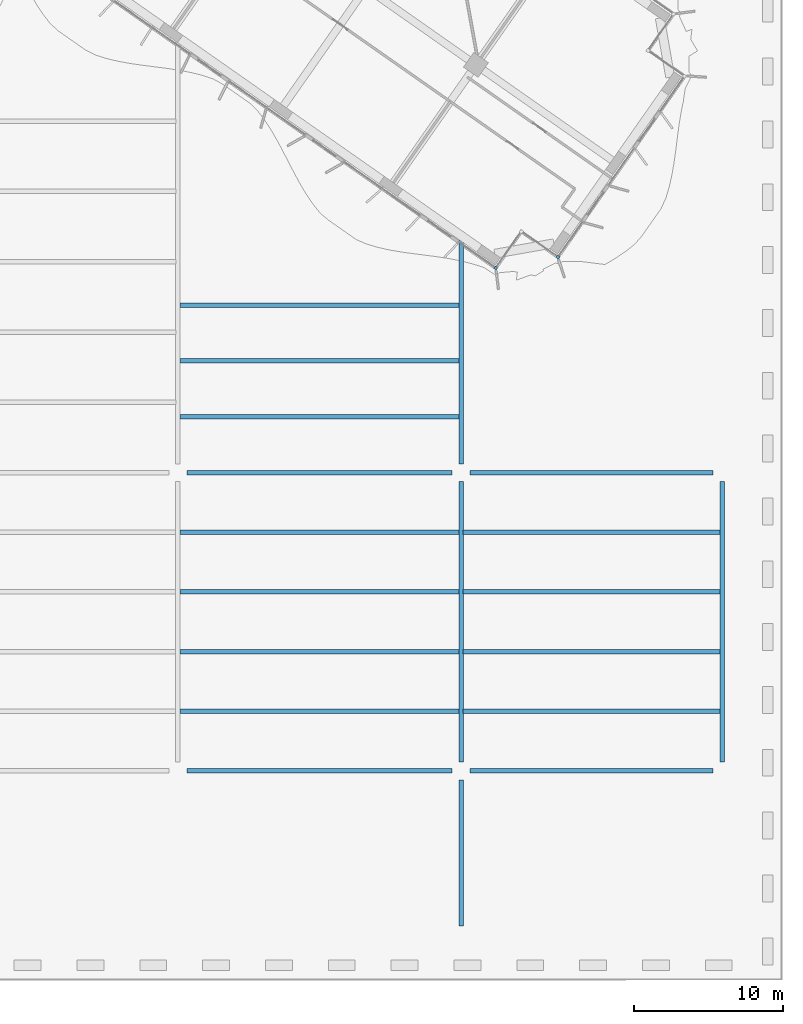
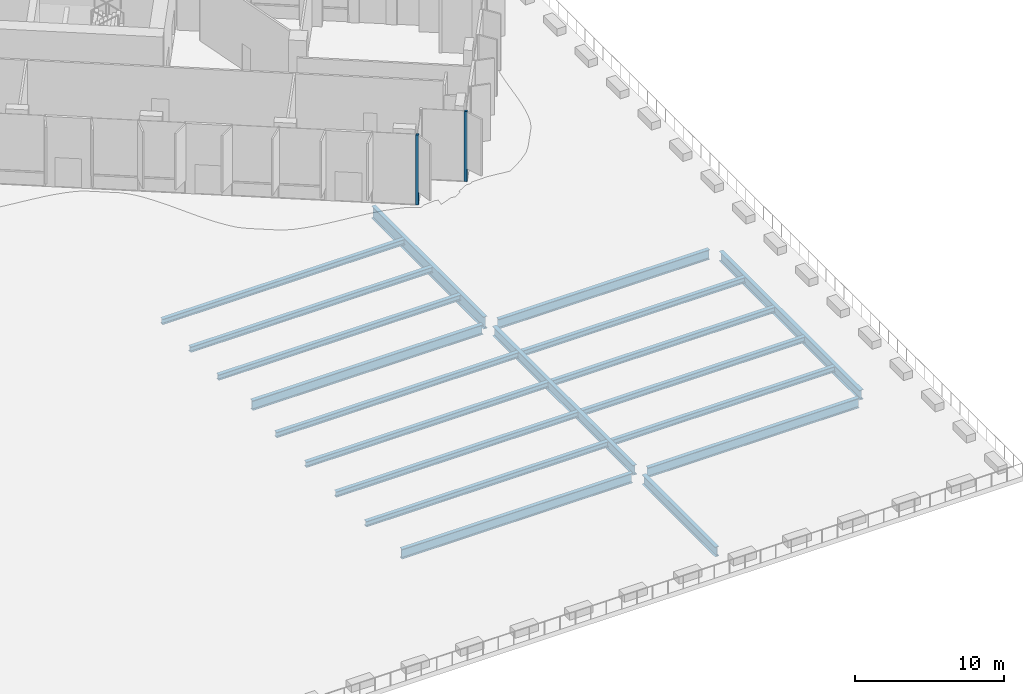
# One storey, part 6 of 27: 19 beams, 2 members, 1 element without a shape of its own.
"""IFC4 building model written with IfcOpenShell, lengths in metres."""

from ifc_helpers import new_model, si_unit, direction, frame, origin, origin_2d, place, context, subcontext, project, spatial, rectangle, i_section, extrude, material, material_profile, profile_set, type_object, element, aggregate, save


model = new_model("IFC4")

# Units and contexts
model_context = context("Model", 3, precision=1e-05, world=origin(), true_north=direction((0.0, 1.0)))
body_context = subcontext(model_context, "Body", "Model", "MODEL_VIEW")
ifc_project = project(units=[si_unit("LENGTHUNIT", "METRE"), si_unit("AREAUNIT", "SQUARE_METRE"), si_unit("VOLUMEUNIT", "CUBIC_METRE"), si_unit("PLANEANGLEUNIT", "RADIAN"), si_unit("MASSUNIT", "GRAM", prefix="KILO")], contexts=[model_context])

# Site, building, storey
site_placement = place(None, origin())
site = spatial("IfcSite", under=ifc_project, at=site_placement, CompositionType="ELEMENT")
building_placement = place(site_placement, origin())
building = spatial("IfcBuilding", under=site, at=building_placement, Name="Tel Ilan Convention Tower", CompositionType="ELEMENT")
storey_placement = place(building_placement, frame((0.0, 0.0, 48.5)))
storey = spatial("IfcBuildingStorey", under=building, at=storey_placement, Name="L07", CompositionType="ELEMENT", Elevation=48.5)

# Curtain wall, members
ifc_material_1 = material(Name="Aluminium, bronze anodised", Category="aluminium")
curtain_wall_type = type_object("IfcCurtainWallType", Name="CW1 UNITISED CURTAIN WALL, HOTEL TINTED GLASS", PredefinedType="NOTDEFINED", material=ifc_material_1)
curtain_wall_placement = place(storey_placement, origin())
curtain_wall = element("IfcCurtainWall", 1, at=curtain_wall_placement, inside=storey, type_object=curtain_wall_type, Name="Curtain wall CW1-10.16", PredefinedType="NOTDEFINED")
ifc_material_2 = material(Name="Aluminium, bronze anodised", Category="aluminium")
ifc_material_profile_1 = material_profile(ifc_material_2, rectangle(XDim=0.199951171875, YDim=0.199951171875, at=origin_2d()), Name="CW CORNER MULLION 200x200")
ifc_profile_set_1 = profile_set([ifc_material_profile_1], Name="Aluminium, bronze anodised")
member_type = type_object("IfcMemberType", Name="CW CORNER MULLION 200x200", PredefinedType="MULLION", material=ifc_profile_set_1)
member_1_placement = place(storey_placement, frame((30.814697265625, -34.272705078125, 0.0), z_axis=(0.0, 0.0, 1.0), x_axis=(0.819152044289, -0.573576436351, 0.0)))
member_1 = element("IfcMember", 2, at=member_1_placement, type_object=member_type, Name="Corner mullion", PredefinedType="MULLION", context=body_context, shape_type="SweptSolid", body=[
    extrude(rectangle(XDim=0.199951171875, YDim=0.199951171875, at=origin_2d()), origin(), (0.0, 0.0, 1.0), 5.719970703125),
])
member_2_placement = place(storey_placement, frame((34.992919921875, -33.5361328125, 0.0), z_axis=(0.0, 0.0, 1.0), x_axis=(0.819152044289, -0.573576436351, 0.0)))
member_2 = element("IfcMember", 3, at=member_2_placement, type_object=member_type, Name="Corner mullion", PredefinedType="MULLION", context=body_context, shape_type="SweptSolid", body=[
    extrude(rectangle(XDim=0.199951171875, YDim=0.199951171875, at=origin_2d()), origin(), (0.0, 0.0, 1.0), 5.719970703125),
])
aggregate(curtain_wall, [member_1, member_2])

# Beams
ifc_material_3 = material(Name="Steel S355", Category="steel")
ifc_material_profile_2 = material_profile(ifc_material_3, i_section(OverallWidth=0.300048828125, OverallDepth=1.0, WebThickness=0.01904296875, FlangeThickness=0.035888671875, FilletRadius=0.030029296875, at=origin_2d()), Name="HEB 1000")
ifc_profile_set_2 = profile_set([ifc_material_profile_2], Name="Steel S355")
beam_type_1 = type_object("IfcBeamType", Name="Girder HEB 1000 Steel S355", PredefinedType="BEAM", material=ifc_profile_set_2)
beam_1_placement = place(storey_placement, frame((28.5, -47.39990234375, -0.89990234375), z_axis=(0.0, 1.0, 0.0), x_axis=(-1.0, 0.0, 0.0)))
element("IfcBeam", 4, at=beam_1_placement, inside=storey, type_object=beam_type_1, Name="L07 beam GN3", PredefinedType="BEAM", context=body_context, shape_type="SweptSolid", body=[
    extrude(i_section(OverallWidth=0.300048828125, OverallDepth=1.0, WebThickness=0.01904296875, FlangeThickness=0.035888671875, FilletRadius=0.030029296875, at=origin_2d()), origin(), (0.0, 0.0, 1.0), 14.9921875),
])
ifc_material_4 = material(Name="Steel S355", Category="steel")
ifc_material_profile_3 = material_profile(ifc_material_4, i_section(OverallWidth=0.300048828125, OverallDepth=0.800048828125, WebThickness=0.017578125, FlangeThickness=0.032958984375, FilletRadius=0.030029296875, at=origin_2d()), Name="HEB 800")
ifc_profile_set_3 = profile_set([ifc_material_profile_3], Name="Steel S355")
beam_type_2 = type_object("IfcBeamType", Name="Girder HEB 800 Steel S355", PredefinedType="BEAM", material=ifc_profile_set_3)
beam_2_placement = place(storey_placement, frame((10.10009765625, -68.0, -0.800048828125), z_axis=(1.0, 0.0, 0.0), x_axis=(0.0, 1.0, 0.0)))
element("IfcBeam", 5, at=beam_2_placement, inside=storey, type_object=beam_type_2, Name="L07 beam GX24-5", PredefinedType="BEAM", context=body_context, shape_type="SweptSolid", body=[
    extrude(i_section(OverallWidth=0.300048828125, OverallDepth=0.800048828125, WebThickness=0.017578125, FlangeThickness=0.032958984375, FilletRadius=0.030029296875, at=origin_2d()), origin(), (0.0, 0.0, 1.0), 17.7998046875),
])
beam_3_placement = place(storey_placement, frame((29.10009765625, -68.0, -0.800048828125), z_axis=(1.0, 0.0, 0.0), x_axis=(0.0, 1.0, 0.0)))
element("IfcBeam", 6, at=beam_3_placement, inside=storey, type_object=beam_type_2, Name="L07 beam GX25-6", PredefinedType="BEAM", context=body_context, shape_type="SweptSolid", body=[
    extrude(i_section(OverallWidth=0.300048828125, OverallDepth=0.800048828125, WebThickness=0.017578125, FlangeThickness=0.032958984375, FilletRadius=0.030029296875, at=origin_2d()), origin(), (0.0, 0.0, 1.0), 16.2998046875),
])
beam_4_placement = place(storey_placement, frame((10.10009765625, -48.0, -0.800048828125), z_axis=(1.0, 0.0, 0.0), x_axis=(0.0, 1.0, 0.0)))
element("IfcBeam", 7, at=beam_4_placement, inside=storey, type_object=beam_type_2, Name="L07 beam GX34-5", PredefinedType="BEAM", context=body_context, shape_type="SweptSolid", body=[
    extrude(i_section(OverallWidth=0.300048828125, OverallDepth=0.800048828125, WebThickness=0.017578125, FlangeThickness=0.032958984375, FilletRadius=0.030029296875, at=origin_2d()), origin(), (0.0, 0.0, 1.0), 17.7998046875),
])
beam_5_placement = place(storey_placement, frame((29.10009765625, -48.0, -0.800048828125), z_axis=(1.0, 0.0, 0.0), x_axis=(0.0, 1.0, 0.0)))
element("IfcBeam", 8, at=beam_5_placement, inside=storey, type_object=beam_type_2, Name="L07 beam GX35-6", PredefinedType="BEAM", context=body_context, shape_type="SweptSolid", body=[
    extrude(i_section(OverallWidth=0.300048828125, OverallDepth=0.800048828125, WebThickness=0.017578125, FlangeThickness=0.032958984375, FilletRadius=0.030029296875, at=origin_2d()), origin(), (0.0, 0.0, 1.0), 16.2998046875),
])
beam_6_placement = place(storey_placement, frame((28.5, -78.39990234375, -0.800048828125), z_axis=(0.0, 1.0, 0.0), x_axis=(-1.0, 0.0, 0.0)))
element("IfcBeam", 9, at=beam_6_placement, inside=storey, type_object=beam_type_2, Name="L07 beam GY51-2", PredefinedType="BEAM", context=body_context, shape_type="SweptSolid", body=[
    extrude(i_section(OverallWidth=0.300048828125, OverallDepth=0.800048828125, WebThickness=0.017578125, FlangeThickness=0.032958984375, FilletRadius=0.030029296875, at=origin_2d()), origin(), (0.0, 0.0, 1.0), 9.7998046875),
])
for number, where, z_axis, x_axis, name in (
    (10, (28.5, -67.39990234375, -0.800048828125), (0.0, 1.0, 0.0), (-1.0, 0.0, 0.0), "L07 beam GY52-3"),
    (11, (46.0, -67.39990234375, -0.800048828125), (0.0, 1.0, 0.0), (-1.0, 0.0, 0.0), "L07 beam GY62-3"),
):
    element("IfcBeam", number, at=place(storey_placement, frame(where, z_axis=z_axis, x_axis=x_axis)), inside=storey, type_object=beam_type_2, Name=name, PredefinedType="BEAM", context=body_context, shape_type="SweptSolid", body=[
        extrude(i_section(OverallWidth=0.300048828125, OverallDepth=0.800048828125, WebThickness=0.017578125, FlangeThickness=0.032958984375, FilletRadius=0.030029296875, at=origin_2d()), origin(), (0.0, 0.0, 1.0), 18.7998046875),
    ])
ifc_material_5 = material(Name="Steel S355", Category="steel")
ifc_material_profile_4 = material_profile(ifc_material_5, i_section(OverallWidth=0.300048828125, OverallDepth=0.449951171875, WebThickness=0.013916015625, FlangeThickness=0.02587890625, FilletRadius=0.027099609375, at=origin_2d()), Name="HEB 450")
ifc_profile_set_4 = profile_set([ifc_material_profile_4], Name="Steel S355")
beam_type_3 = type_object("IfcBeamType", Name="Joist HEB 450 Steel S355", PredefinedType="JOIST", material=ifc_profile_set_4)
for number, where, z_axis, x_axis, name in (
    (12, (9.639892578125, -64.0, -0.625), (1.0, 0.0, 0.0), (0.0, 1.0, 0.0), "L07 beam J4--68-1"),
    (13, (9.639892578125, -60.0, -0.625), (1.0, 0.0, 0.0), (0.0, 1.0, 0.0), "L07 beam J4--68-2"),
    (14, (9.639892578125, -56.0, -0.625), (1.0, 0.0, 0.0), (0.0, 1.0, 0.0), "L07 beam J4--68-3"),
    (15, (9.639892578125, -52.0, -0.625), (1.0, 0.0, 0.0), (0.0, 1.0, 0.0), "L07 beam J4--68-4"),
):
    element("IfcBeam", number, at=place(storey_placement, frame(where, z_axis=z_axis, x_axis=x_axis)), inside=storey, type_object=beam_type_3, Name=name, PredefinedType="JOIST", context=body_context, shape_type="SweptSolid", body=[
        extrude(i_section(OverallWidth=0.300048828125, OverallDepth=0.449951171875, WebThickness=0.013916015625, FlangeThickness=0.02587890625, FilletRadius=0.027099609375, at=origin_2d()), origin(), (0.0, 0.0, 1.0), 18.72021484375),
    ])
for number, where, z_axis, x_axis, name in (
    (16, (28.639892578125, -64.0, -0.625), (1.0, 0.0, 0.0), (0.0, 1.0, 0.0), "L07 beam J5--68-1"),
    (17, (28.639892578125, -60.0, -0.625), (1.0, 0.0, 0.0), (0.0, 1.0, 0.0), "L07 beam J5--68-2"),
    (18, (28.639892578125, -56.0, -0.625), (1.0, 0.0, 0.0), (0.0, 1.0, 0.0), "L07 beam J5--68-3"),
    (19, (28.639892578125, -52.0, -0.625), (1.0, 0.0, 0.0), (0.0, 1.0, 0.0), "L07 beam J5--68-4"),
):
    element("IfcBeam", number, at=place(storey_placement, frame(where, z_axis=z_axis, x_axis=x_axis)), inside=storey, type_object=beam_type_3, Name=name, PredefinedType="JOIST", context=body_context, shape_type="SweptSolid", body=[
        extrude(i_section(OverallWidth=0.300048828125, OverallDepth=0.449951171875, WebThickness=0.013916015625, FlangeThickness=0.02587890625, FilletRadius=0.027099609375, at=origin_2d()), origin(), (0.0, 0.0, 1.0), 17.22021484375),
    ])
for number, where, z_axis, x_axis, name in (
    (20, (9.639892578125, -44.251953125, -0.625), (1.0, 0.0, 0.0), (0.0, 1.0, 0.0), "L07 beam JN2-1"),
    (21, (9.639892578125, -40.50390625, -0.625), (1.0, 0.0, 0.0), (0.0, 1.0, 0.0), "L07 beam JN2-2"),
    (22, (9.639892578125, -36.755859375, -0.625), (1.0, 0.0, 0.0), (0.0, 1.0, 0.0), "L07 beam JN2-3"),
):
    element("IfcBeam", number, at=place(storey_placement, frame(where, z_axis=z_axis, x_axis=x_axis)), inside=storey, type_object=beam_type_3, Name=name, PredefinedType="JOIST", context=body_context, shape_type="SweptSolid", body=[
        extrude(i_section(OverallWidth=0.300048828125, OverallDepth=0.449951171875, WebThickness=0.013916015625, FlangeThickness=0.02587890625, FilletRadius=0.027099609375, at=origin_2d()), origin(), (0.0, 0.0, 1.0), 18.72021484375),
    ])

save(model, "model.ifc")
